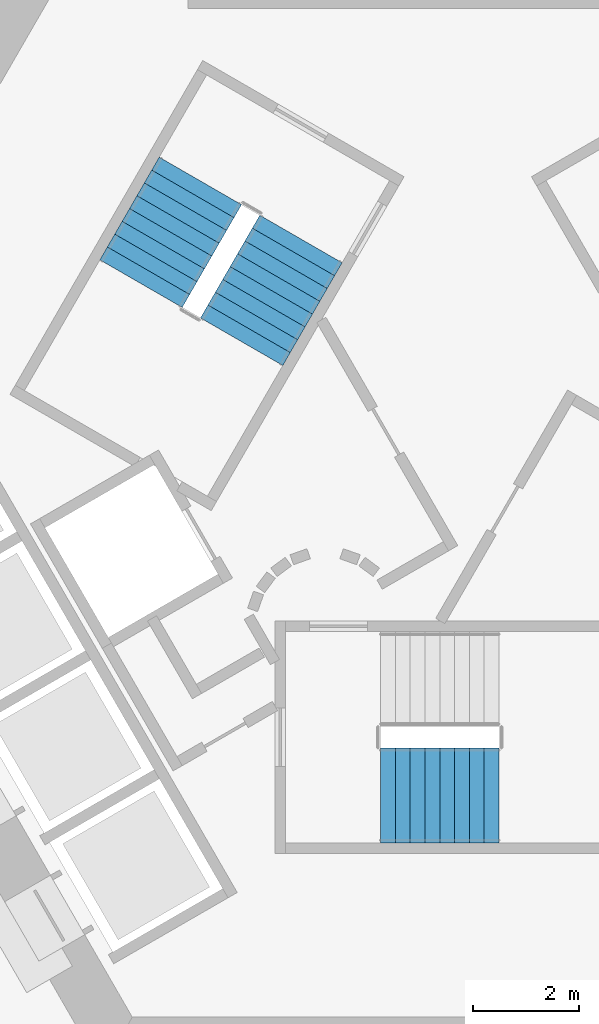
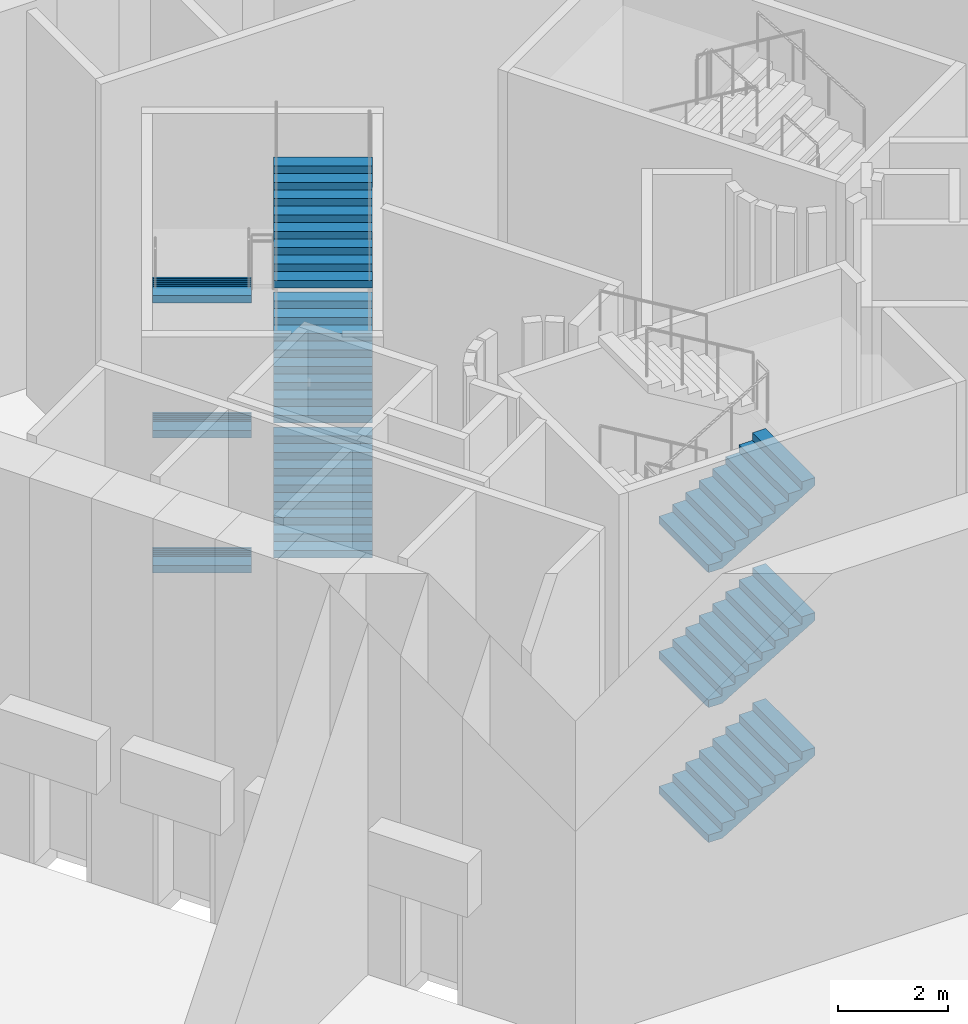
# One storey, part 22 of 36: 9 stair flights, 2 elements without a shape of their own.
"""IFC4 building model written with IfcOpenShell, lengths in metres."""

from ifc_helpers import new_model, si_unit, direction, frame, origin, place, context, subcontext, project, spatial, triangles, material, type_object, element, aggregate, save


model = new_model("IFC4")

# Units and contexts
model_context = context("Model", 3, precision=1e-05, world=origin(), true_north=direction((0.0, 1.0)))
body_context = subcontext(model_context, "Body", "Model", "MODEL_VIEW")
ifc_project = project(units=[si_unit("LENGTHUNIT", "METRE"), si_unit("AREAUNIT", "SQUARE_METRE"), si_unit("VOLUMEUNIT", "CUBIC_METRE"), si_unit("PLANEANGLEUNIT", "RADIAN"), si_unit("MASSUNIT", "GRAM", prefix="KILO")], contexts=[model_context])

# Site, building, storey
site_placement = place(None, origin())
site = spatial("IfcSite", under=ifc_project, at=site_placement, CompositionType="ELEMENT")
building_placement = place(site_placement, origin())
building = spatial("IfcBuilding", under=site, at=building_placement, Name="Entoto Arch Interchange Tower", CompositionType="ELEMENT")
storey_placement = place(building_placement, origin())
storey = spatial("IfcBuildingStorey", under=building, at=storey_placement, Name="L00", CompositionType="ELEMENT", Elevation=0.0)

# Stair, stair flights
ifc_material = material(Name="Concrete C40/50", Category="concrete")
stair_type = type_object("IfcStairType", Name="EXIT STAIR RC 1800", PredefinedType="HALF_TURN_STAIR", material=ifc_material)
stair_1_placement = place(storey_placement, origin())
stair_1 = element("IfcStair", 1, at=stair_1_placement, inside=storey, type_object=stair_type, Name="L00 Exit stair S", PredefinedType="HALF_TURN_STAIR")
stair_flight_type = type_object("IfcStairFlightType", Name="EXIT STAIR FLIGHT RC 1800", PredefinedType="STRAIGHT", material=ifc_material)
stair_flight_1_placement = place(storey_placement, frame((-1.64990234375, -4.300048828125, 0.0), z_axis=(0.0, 0.0, 1.0), x_axis=(1.0, 0.0, 0.0)))
stair_flight_1 = element("IfcStairFlight", 2, at=stair_flight_1_placement, type_object=stair_flight_type, Name="ST-S flight 1", NumberOfRisers=9, NumberOfTreads=8, PredefinedType="STRAIGHT", RiserHeight=0.166666667, TreadLength=0.28, context=body_context, shape_type="Tessellation", body=[
    triangles([(-0.003, -0.900024, 0.0), (-0.003, -0.900024, 0.166667), (0.28, -0.900024, 0.166667), (0.28, -0.900024, 0.333333), (0.56, -0.900024, 0.333333), (0.56, -0.900024, 0.5), (0.84, -0.900024, 0.5), (0.84, -0.900024, 0.666667), (1.12, -0.900024, 0.666667), (1.12, -0.900024, 0.833333), (1.4, -0.900024, 0.833333), (1.4, -0.900024, 1.0), (1.68, -0.900024, 1.0), (1.68, -0.900024, 1.166667), (1.96, -0.900024, 1.166667), (1.96, -0.900024, 1.333333), (2.24, -0.900024, 1.333333), (2.243, -0.900024, 1.333333), (2.243, -0.900024, 1.160671), (0.293073, -0.900024, 0.0), (-0.003, 0.900024, 0.0), (-0.003, 0.900024, 0.166667), (0.28, 0.900024, 0.166667), (0.28, 0.900024, 0.333333), (0.56, 0.900024, 0.333333), (0.56, 0.900024, 0.5), (0.84, 0.900024, 0.5), (0.84, 0.900024, 0.666667), (1.12, 0.900024, 0.666667), (1.12, 0.900024, 0.833333), (1.4, 0.900024, 0.833333), (1.4, 0.900024, 1.0), (1.68, 0.900024, 1.0), (1.68, 0.900024, 1.166667), (1.96, 0.900024, 1.166667), (1.96, 0.900024, 1.333333), (2.24, 0.900024, 1.333333), (2.243, 0.900024, 1.333333), (2.243, 0.900024, 1.160671), (0.293073, 0.900024, 0.0), (-0.003, 0.0, 0.0), (-0.003, 0.0, 0.166667), (0.28, 0.0, 0.166667), (0.28, 0.0, 0.333333), (0.56, 0.0, 0.333333), (0.56, 0.0, 0.5), (0.84, 0.0, 0.5), (0.84, 0.0, 0.666667), (1.12, 0.0, 0.666667), (1.12, 0.0, 0.833333), (1.4, 0.0, 0.833333), (1.4, 0.0, 1.0), (1.68, 0.0, 1.0), (1.68, 0.0, 1.166667), (1.96, 0.0, 1.166667), (1.96, 0.0, 1.333333), (2.24, 0.0, 1.333333), (2.243, 0.0, 1.333333), (2.243, 0.0, 1.160671), (0.293073, 0.0, 0.0)], [[1, 20, 19], [19, 18, 17], [19, 17, 16], [19, 16, 15], [19, 15, 14], [19, 14, 13], [13, 12, 11], [19, 13, 11], [11, 10, 9], [19, 11, 9], [9, 8, 7], [19, 9, 7], [7, 6, 5], [19, 7, 5], [5, 4, 3], [19, 5, 3], [1, 19, 3], [3, 2, 1], [21, 39, 40], [39, 37, 38], [39, 36, 37], [39, 35, 36], [39, 34, 35], [39, 33, 34], [33, 31, 32], [39, 31, 33], [31, 29, 30], [39, 29, 31], [29, 27, 28], [39, 27, 29], [27, 25, 26], [39, 25, 27], [25, 23, 24], [39, 23, 25], [21, 23, 39], [23, 21, 22], [1, 2, 42], [1, 42, 41], [41, 42, 22], [41, 22, 21], [2, 3, 43], [2, 43, 42], [42, 43, 23], [42, 23, 22], [3, 4, 44], [3, 44, 43], [43, 44, 24], [43, 24, 23], [4, 5, 45], [4, 45, 44], [44, 45, 25], [44, 25, 24], [5, 6, 46], [5, 46, 45], [45, 46, 26], [45, 26, 25], [6, 7, 47], [6, 47, 46], [46, 47, 27], [46, 27, 26], [7, 8, 48], [7, 48, 47], [47, 48, 28], [47, 28, 27], [8, 9, 49], [8, 49, 48], [48, 49, 29], [48, 29, 28], [9, 10, 50], [9, 50, 49], [49, 50, 30], [49, 30, 29], [10, 11, 51], [10, 51, 50], [50, 51, 31], [50, 31, 30], [11, 12, 52], [11, 52, 51], [51, 52, 32], [51, 32, 31], [12, 13, 53], [12, 53, 52], [52, 53, 33], [52, 33, 32], [13, 14, 54], [13, 54, 53], [53, 54, 34], [53, 34, 33], [14, 15, 55], [14, 55, 54], [54, 55, 35], [54, 35, 34], [15, 16, 56], [15, 56, 55], [55, 56, 36], [55, 36, 35], [16, 17, 57], [16, 57, 56], [56, 57, 37], [56, 37, 36], [17, 18, 58], [17, 58, 57], [57, 58, 38], [57, 38, 37], [18, 19, 59], [18, 59, 58], [58, 59, 39], [58, 39, 38], [19, 20, 60], [19, 60, 59], [59, 60, 40], [59, 40, 39], [20, 1, 41], [20, 41, 60], [60, 41, 21], [60, 21, 40]], closed=True),
])
stair_flight_2_placement = place(storey_placement, frame((-1.64990234375, -4.300048828125, 3.0), z_axis=(0.0, 0.0, 1.0), x_axis=(1.0, 0.0, 0.0)))
stair_flight_2 = element("IfcStairFlight", 3, at=stair_flight_2_placement, type_object=stair_flight_type, Name="ST-S flight 3", NumberOfRisers=9, NumberOfTreads=8, PredefinedType="STRAIGHT", RiserHeight=0.166666667, TreadLength=0.28, context=body_context, shape_type="Tessellation", body=[
    triangles([(-0.003, -0.900024, 0.0), (-0.003, -0.900024, 0.166667), (0.28, -0.900024, 0.166667), (0.28, -0.900024, 0.333333), (0.56, -0.900024, 0.333333), (0.56, -0.900024, 0.5), (0.84, -0.900024, 0.5), (0.84, -0.900024, 0.666667), (1.12, -0.900024, 0.666667), (1.12, -0.900024, 0.833333), (1.4, -0.900024, 0.833333), (1.4, -0.900024, 1.0), (1.68, -0.900024, 1.0), (1.68, -0.900024, 1.166667), (1.96, -0.900024, 1.166667), (1.96, -0.900024, 1.333333), (2.24, -0.900024, 1.333333), (2.243, -0.900024, 1.333333), (2.243, -0.900024, 1.160671), (0.293073, -0.900024, 0.0), (-0.003, 0.900024, 0.0), (-0.003, 0.900024, 0.166667), (0.28, 0.900024, 0.166667), (0.28, 0.900024, 0.333333), (0.56, 0.900024, 0.333333), (0.56, 0.900024, 0.5), (0.84, 0.900024, 0.5), (0.84, 0.900024, 0.666667), (1.12, 0.900024, 0.666667), (1.12, 0.900024, 0.833333), (1.4, 0.900024, 0.833333), (1.4, 0.900024, 1.0), (1.68, 0.900024, 1.0), (1.68, 0.900024, 1.166667), (1.96, 0.900024, 1.166667), (1.96, 0.900024, 1.333333), (2.24, 0.900024, 1.333333), (2.243, 0.900024, 1.333333), (2.243, 0.900024, 1.160671), (0.293073, 0.900024, 0.0), (-0.003, 0.0, 0.0), (-0.003, 0.0, 0.166667), (0.28, 0.0, 0.166667), (0.28, 0.0, 0.333333), (0.56, 0.0, 0.333333), (0.56, 0.0, 0.5), (0.84, 0.0, 0.5), (0.84, 0.0, 0.666667), (1.12, 0.0, 0.666667), (1.12, 0.0, 0.833333), (1.4, 0.0, 0.833333), (1.4, 0.0, 1.0), (1.68, 0.0, 1.0), (1.68, 0.0, 1.166667), (1.96, 0.0, 1.166667), (1.96, 0.0, 1.333333), (2.24, 0.0, 1.333333), (2.243, 0.0, 1.333333), (2.243, 0.0, 1.160671), (0.293073, 0.0, 0.0)], [[1, 20, 19], [19, 18, 17], [19, 17, 16], [19, 16, 15], [19, 15, 14], [19, 14, 13], [13, 12, 11], [19, 13, 11], [11, 10, 9], [19, 11, 9], [9, 8, 7], [19, 9, 7], [7, 6, 5], [19, 7, 5], [5, 4, 3], [19, 5, 3], [1, 19, 3], [3, 2, 1], [21, 39, 40], [39, 37, 38], [39, 36, 37], [39, 35, 36], [39, 34, 35], [39, 33, 34], [33, 31, 32], [39, 31, 33], [31, 29, 30], [39, 29, 31], [29, 27, 28], [39, 27, 29], [27, 25, 26], [39, 25, 27], [25, 23, 24], [39, 23, 25], [21, 23, 39], [23, 21, 22], [1, 2, 42], [1, 42, 41], [41, 42, 22], [41, 22, 21], [2, 3, 43], [2, 43, 42], [42, 43, 23], [42, 23, 22], [3, 4, 44], [3, 44, 43], [43, 44, 24], [43, 24, 23], [4, 5, 45], [4, 45, 44], [44, 45, 25], [44, 25, 24], [5, 6, 46], [5, 46, 45], [45, 46, 26], [45, 26, 25], [6, 7, 47], [6, 47, 46], [46, 47, 27], [46, 27, 26], [7, 8, 48], [7, 48, 47], [47, 48, 28], [47, 28, 27], [8, 9, 49], [8, 49, 48], [48, 49, 29], [48, 29, 28], [9, 10, 50], [9, 50, 49], [49, 50, 30], [49, 30, 29], [10, 11, 51], [10, 51, 50], [50, 51, 31], [50, 31, 30], [11, 12, 52], [11, 52, 51], [51, 52, 32], [51, 32, 31], [12, 13, 53], [12, 53, 52], [52, 53, 33], [52, 33, 32], [13, 14, 54], [13, 54, 53], [53, 54, 34], [53, 34, 33], [14, 15, 55], [14, 55, 54], [54, 55, 35], [54, 35, 34], [15, 16, 56], [15, 56, 55], [55, 56, 36], [55, 36, 35], [16, 17, 57], [16, 57, 56], [56, 57, 37], [56, 37, 36], [17, 18, 58], [17, 58, 57], [57, 58, 38], [57, 38, 37], [18, 19, 59], [18, 59, 58], [58, 59, 39], [58, 39, 38], [19, 20, 60], [19, 60, 59], [59, 60, 40], [59, 40, 39], [20, 1, 41], [20, 41, 60], [60, 41, 21], [60, 21, 40]], closed=True),
])
stair_flight_3_placement = place(storey_placement, frame((-1.64990234375, -4.300048828125, 6.0), z_axis=(0.0, 0.0, 1.0), x_axis=(1.0, 0.0, 0.0)))
stair_flight_3 = element("IfcStairFlight", 4, at=stair_flight_3_placement, type_object=stair_flight_type, Name="ST-S flight 5", NumberOfRisers=9, NumberOfTreads=8, PredefinedType="STRAIGHT", RiserHeight=0.166666667, TreadLength=0.28, context=body_context, shape_type="Tessellation", body=[
    triangles([(-0.003, -0.900024, 0.0), (-0.003, -0.900024, 0.166667), (0.28, -0.900024, 0.166667), (0.28, -0.900024, 0.333333), (0.56, -0.900024, 0.333333), (0.56, -0.900024, 0.5), (0.84, -0.900024, 0.5), (0.84, -0.900024, 0.666667), (1.12, -0.900024, 0.666667), (1.12, -0.900024, 0.833333), (1.4, -0.900024, 0.833333), (1.4, -0.900024, 1.0), (1.68, -0.900024, 1.0), (1.68, -0.900024, 1.166667), (1.96, -0.900024, 1.166667), (1.96, -0.900024, 1.333333), (2.24, -0.900024, 1.333333), (2.243, -0.900024, 1.333333), (2.243, -0.900024, 1.160671), (0.293073, -0.900024, 0.0), (-0.003, 0.900024, 0.0), (-0.003, 0.900024, 0.166667), (0.28, 0.900024, 0.166667), (0.28, 0.900024, 0.333333), (0.56, 0.900024, 0.333333), (0.56, 0.900024, 0.5), (0.84, 0.900024, 0.5), (0.84, 0.900024, 0.666667), (1.12, 0.900024, 0.666667), (1.12, 0.900024, 0.833333), (1.4, 0.900024, 0.833333), (1.4, 0.900024, 1.0), (1.68, 0.900024, 1.0), (1.68, 0.900024, 1.166667), (1.96, 0.900024, 1.166667), (1.96, 0.900024, 1.333333), (2.24, 0.900024, 1.333333), (2.243, 0.900024, 1.333333), (2.243, 0.900024, 1.160671), (0.293073, 0.900024, 0.0), (-0.003, 0.0, 0.0), (-0.003, 0.0, 0.166667), (0.28, 0.0, 0.166667), (0.28, 0.0, 0.333333), (0.56, 0.0, 0.333333), (0.56, 0.0, 0.5), (0.84, 0.0, 0.5), (0.84, 0.0, 0.666667), (1.12, 0.0, 0.666667), (1.12, 0.0, 0.833333), (1.4, 0.0, 0.833333), (1.4, 0.0, 1.0), (1.68, 0.0, 1.0), (1.68, 0.0, 1.166667), (1.96, 0.0, 1.166667), (1.96, 0.0, 1.333333), (2.24, 0.0, 1.333333), (2.243, 0.0, 1.333333), (2.243, 0.0, 1.160671), (0.293073, 0.0, 0.0)], [[1, 20, 19], [19, 18, 17], [19, 17, 16], [19, 16, 15], [19, 15, 14], [19, 14, 13], [13, 12, 11], [19, 13, 11], [11, 10, 9], [19, 11, 9], [9, 8, 7], [19, 9, 7], [7, 6, 5], [19, 7, 5], [5, 4, 3], [19, 5, 3], [1, 19, 3], [3, 2, 1], [21, 39, 40], [39, 37, 38], [39, 36, 37], [39, 35, 36], [39, 34, 35], [39, 33, 34], [33, 31, 32], [39, 31, 33], [31, 29, 30], [39, 29, 31], [29, 27, 28], [39, 27, 29], [27, 25, 26], [39, 25, 27], [25, 23, 24], [39, 23, 25], [21, 23, 39], [23, 21, 22], [1, 2, 42], [1, 42, 41], [41, 42, 22], [41, 22, 21], [2, 3, 43], [2, 43, 42], [42, 43, 23], [42, 23, 22], [3, 4, 44], [3, 44, 43], [43, 44, 24], [43, 24, 23], [4, 5, 45], [4, 45, 44], [44, 45, 25], [44, 25, 24], [5, 6, 46], [5, 46, 45], [45, 46, 26], [45, 26, 25], [6, 7, 47], [6, 47, 46], [46, 47, 27], [46, 27, 26], [7, 8, 48], [7, 48, 47], [47, 48, 28], [47, 28, 27], [8, 9, 49], [8, 49, 48], [48, 49, 29], [48, 29, 28], [9, 10, 50], [9, 50, 49], [49, 50, 30], [49, 30, 29], [10, 11, 51], [10, 51, 50], [50, 51, 31], [50, 31, 30], [11, 12, 52], [11, 52, 51], [51, 52, 32], [51, 32, 31], [12, 13, 53], [12, 53, 52], [52, 53, 33], [52, 33, 32], [13, 14, 54], [13, 54, 53], [53, 54, 34], [53, 34, 33], [14, 15, 55], [14, 55, 54], [54, 55, 35], [54, 35, 34], [15, 16, 56], [15, 56, 55], [55, 56, 36], [55, 36, 35], [16, 17, 57], [16, 57, 56], [56, 57, 37], [56, 37, 36], [17, 18, 58], [17, 58, 57], [57, 58, 38], [57, 38, 37], [18, 19, 59], [18, 59, 58], [58, 59, 39], [58, 39, 38], [19, 20, 60], [19, 60, 59], [59, 60, 40], [59, 40, 39], [20, 1, 41], [20, 41, 60], [60, 41, 21], [60, 21, 40]], closed=True),
])
aggregate(stair_1, [stair_flight_1, stair_flight_2, stair_flight_3])

stair_2_placement = place(storey_placement, origin())
stair_2 = element("IfcStair", 5, at=stair_2_placement, inside=storey, type_object=stair_type, Name="L00 Exit stair NW", PredefinedType="HALF_TURN_STAIR")
stair_flight_4_placement = place(storey_placement, frame((-5.06396484375, 7.328857421875, 0.0), z_axis=(0.0, 0.0, 1.0), x_axis=(-0.5, -0.866025403784, 0.0)))
stair_flight_4 = element("IfcStairFlight", 6, at=stair_flight_4_placement, type_object=stair_flight_type, Name="ST-NW flight 1", NumberOfRisers=9, NumberOfTreads=8, PredefinedType="STRAIGHT", RiserHeight=0.166666667, TreadLength=0.28, context=body_context, shape_type="Tessellation", body=[
    triangles([(-0.003, -0.900024, 0.0), (-0.003, -0.900024, 0.166667), (0.28, -0.900024, 0.166667), (0.28, -0.900024, 0.333333), (0.56, -0.900024, 0.333333), (0.56, -0.900024, 0.5), (0.84, -0.900024, 0.5), (0.84, -0.900024, 0.666667), (1.12, -0.900024, 0.666667), (1.12, -0.900024, 0.833333), (1.4, -0.900024, 0.833333), (1.4, -0.900024, 1.0), (1.68, -0.900024, 1.0), (1.68, -0.900024, 1.166667), (1.96, -0.900024, 1.166667), (1.96, -0.900024, 1.333333), (2.24, -0.900024, 1.333333), (2.243, -0.900024, 1.333333), (2.243, -0.900024, 1.160671), (0.293073, -0.900024, 0.0), (-0.003, 0.900024, 0.0), (-0.003, 0.900024, 0.166667), (0.28, 0.900024, 0.166667), (0.28, 0.900024, 0.333333), (0.56, 0.900024, 0.333333), (0.56, 0.900024, 0.5), (0.84, 0.900024, 0.5), (0.84, 0.900024, 0.666667), (1.12, 0.900024, 0.666667), (1.12, 0.900024, 0.833333), (1.4, 0.900024, 0.833333), (1.4, 0.900024, 1.0), (1.68, 0.900024, 1.0), (1.68, 0.900024, 1.166667), (1.96, 0.900024, 1.166667), (1.96, 0.900024, 1.333333), (2.24, 0.900024, 1.333333), (2.243, 0.900024, 1.333333), (2.243, 0.900024, 1.160671), (0.293073, 0.900024, 0.0), (-0.003, 0.0, 0.0), (-0.003, 0.0, 0.166667), (0.28, 0.0, 0.166667), (0.28, 0.0, 0.333333), (0.56, 0.0, 0.333333), (0.56, 0.0, 0.5), (0.84, 0.0, 0.5), (0.84, 0.0, 0.666667), (1.12, 0.0, 0.666667), (1.12, 0.0, 0.833333), (1.4, 0.0, 0.833333), (1.4, 0.0, 1.0), (1.68, 0.0, 1.0), (1.68, 0.0, 1.166667), (1.96, 0.0, 1.166667), (1.96, 0.0, 1.333333), (2.24, 0.0, 1.333333), (2.243, 0.0, 1.333333), (2.243, 0.0, 1.160671), (0.293073, 0.0, 0.0)], [[1, 20, 19], [19, 18, 17], [19, 17, 16], [19, 16, 15], [19, 15, 14], [19, 14, 13], [13, 12, 11], [19, 13, 11], [11, 10, 9], [19, 11, 9], [9, 8, 7], [19, 9, 7], [7, 6, 5], [19, 7, 5], [5, 4, 3], [19, 5, 3], [1, 19, 3], [3, 2, 1], [21, 39, 40], [39, 37, 38], [39, 36, 37], [39, 35, 36], [39, 34, 35], [39, 33, 34], [33, 31, 32], [39, 31, 33], [31, 29, 30], [39, 29, 31], [29, 27, 28], [39, 27, 29], [27, 25, 26], [39, 25, 27], [25, 23, 24], [39, 23, 25], [21, 23, 39], [23, 21, 22], [1, 2, 42], [1, 42, 41], [41, 42, 22], [41, 22, 21], [2, 3, 43], [2, 43, 42], [42, 43, 23], [42, 23, 22], [3, 4, 44], [3, 44, 43], [43, 44, 24], [43, 24, 23], [4, 5, 45], [4, 45, 44], [44, 45, 25], [44, 25, 24], [5, 6, 46], [5, 46, 45], [45, 46, 26], [45, 26, 25], [6, 7, 47], [6, 47, 46], [46, 47, 27], [46, 27, 26], [7, 8, 48], [7, 48, 47], [47, 48, 28], [47, 28, 27], [8, 9, 49], [8, 49, 48], [48, 49, 29], [48, 29, 28], [9, 10, 50], [9, 50, 49], [49, 50, 30], [49, 30, 29], [10, 11, 51], [10, 51, 50], [50, 51, 31], [50, 31, 30], [11, 12, 52], [11, 52, 51], [51, 52, 32], [51, 32, 31], [12, 13, 53], [12, 53, 52], [52, 53, 33], [52, 33, 32], [13, 14, 54], [13, 54, 53], [53, 54, 34], [53, 34, 33], [14, 15, 55], [14, 55, 54], [54, 55, 35], [54, 35, 34], [15, 16, 56], [15, 56, 55], [55, 56, 36], [55, 36, 35], [16, 17, 57], [16, 57, 56], [56, 57, 37], [56, 37, 36], [17, 18, 58], [17, 58, 57], [57, 58, 38], [57, 38, 37], [18, 19, 59], [18, 59, 58], [58, 59, 39], [58, 39, 38], [19, 20, 60], [19, 60, 59], [59, 60, 40], [59, 40, 39], [20, 1, 41], [20, 41, 60], [60, 41, 21], [60, 21, 40]], closed=True),
])
stair_flight_5_placement = place(storey_placement, frame((-4.27880859375, 4.2890625, 1.5), z_axis=(0.0, 0.0, 1.0), x_axis=(0.5, 0.866025403784, 0.0)))
stair_flight_5 = element("IfcStairFlight", 7, at=stair_flight_5_placement, type_object=stair_flight_type, Name="ST-NW flight 2", NumberOfRisers=9, NumberOfTreads=8, PredefinedType="STRAIGHT", RiserHeight=0.166666667, TreadLength=0.28, context=body_context, shape_type="Tessellation", body=[
    triangles([(-0.003, -0.900024, 0.0), (-0.003, -0.900024, 0.166667), (0.28, -0.900024, 0.166667), (0.28, -0.900024, 0.333333), (0.56, -0.900024, 0.333333), (0.56, -0.900024, 0.5), (0.84, -0.900024, 0.5), (0.84, -0.900024, 0.666667), (1.12, -0.900024, 0.666667), (1.12, -0.900024, 0.833333), (1.4, -0.900024, 0.833333), (1.4, -0.900024, 1.0), (1.68, -0.900024, 1.0), (1.68, -0.900024, 1.166667), (1.96, -0.900024, 1.166667), (1.96, -0.900024, 1.333333), (2.24, -0.900024, 1.333333), (2.243, -0.900024, 1.333333), (2.243, -0.900024, 1.160671), (0.293073, -0.900024, 0.0), (-0.003, 0.900024, 0.0), (-0.003, 0.900024, 0.166667), (0.28, 0.900024, 0.166667), (0.28, 0.900024, 0.333333), (0.56, 0.900024, 0.333333), (0.56, 0.900024, 0.5), (0.84, 0.900024, 0.5), (0.84, 0.900024, 0.666667), (1.12, 0.900024, 0.666667), (1.12, 0.900024, 0.833333), (1.4, 0.900024, 0.833333), (1.4, 0.900024, 1.0), (1.68, 0.900024, 1.0), (1.68, 0.900024, 1.166667), (1.96, 0.900024, 1.166667), (1.96, 0.900024, 1.333333), (2.24, 0.900024, 1.333333), (2.243, 0.900024, 1.333333), (2.243, 0.900024, 1.160671), (0.293073, 0.900024, 0.0), (-0.003, 0.0, 0.0), (-0.003, 0.0, 0.166667), (0.28, 0.0, 0.166667), (0.28, 0.0, 0.333333), (0.56, 0.0, 0.333333), (0.56, 0.0, 0.5), (0.84, 0.0, 0.5), (0.84, 0.0, 0.666667), (1.12, 0.0, 0.666667), (1.12, 0.0, 0.833333), (1.4, 0.0, 0.833333), (1.4, 0.0, 1.0), (1.68, 0.0, 1.0), (1.68, 0.0, 1.166667), (1.96, 0.0, 1.166667), (1.96, 0.0, 1.333333), (2.24, 0.0, 1.333333), (2.243, 0.0, 1.333333), (2.243, 0.0, 1.160671), (0.293073, 0.0, 0.0)], [[1, 20, 19], [19, 18, 17], [19, 17, 16], [19, 16, 15], [19, 15, 14], [19, 14, 13], [13, 12, 11], [19, 13, 11], [11, 10, 9], [19, 11, 9], [9, 8, 7], [19, 9, 7], [7, 6, 5], [19, 7, 5], [5, 4, 3], [19, 5, 3], [1, 19, 3], [3, 2, 1], [21, 39, 40], [39, 37, 38], [39, 36, 37], [39, 35, 36], [39, 34, 35], [39, 33, 34], [33, 31, 32], [39, 31, 33], [31, 29, 30], [39, 29, 31], [29, 27, 28], [39, 27, 29], [27, 25, 26], [39, 25, 27], [25, 23, 24], [39, 23, 25], [21, 23, 39], [23, 21, 22], [1, 2, 42], [1, 42, 41], [41, 42, 22], [41, 22, 21], [2, 3, 43], [2, 43, 42], [42, 43, 23], [42, 23, 22], [3, 4, 44], [3, 44, 43], [43, 44, 24], [43, 24, 23], [4, 5, 45], [4, 45, 44], [44, 45, 25], [44, 25, 24], [5, 6, 46], [5, 46, 45], [45, 46, 26], [45, 26, 25], [6, 7, 47], [6, 47, 46], [46, 47, 27], [46, 27, 26], [7, 8, 48], [7, 48, 47], [47, 48, 28], [47, 28, 27], [8, 9, 49], [8, 49, 48], [48, 49, 29], [48, 29, 28], [9, 10, 50], [9, 50, 49], [49, 50, 30], [49, 30, 29], [10, 11, 51], [10, 51, 50], [50, 51, 31], [50, 31, 30], [11, 12, 52], [11, 52, 51], [51, 52, 32], [51, 32, 31], [12, 13, 53], [12, 53, 52], [52, 53, 33], [52, 33, 32], [13, 14, 54], [13, 54, 53], [53, 54, 34], [53, 34, 33], [14, 15, 55], [14, 55, 54], [54, 55, 35], [54, 35, 34], [15, 16, 56], [15, 56, 55], [55, 56, 36], [55, 36, 35], [16, 17, 57], [16, 57, 56], [56, 57, 37], [56, 37, 36], [17, 18, 58], [17, 58, 57], [57, 58, 38], [57, 38, 37], [18, 19, 59], [18, 59, 58], [58, 59, 39], [58, 39, 38], [19, 20, 60], [19, 60, 59], [59, 60, 40], [59, 40, 39], [20, 1, 41], [20, 41, 60], [60, 41, 21], [60, 21, 40]], closed=True),
])
stair_flight_6_placement = place(storey_placement, frame((-5.06396484375, 7.328857421875, 3.0), z_axis=(0.0, 0.0, 1.0), x_axis=(-0.5, -0.866025403784, 0.0)))
stair_flight_6 = element("IfcStairFlight", 8, at=stair_flight_6_placement, type_object=stair_flight_type, Name="ST-NW flight 3", NumberOfRisers=9, NumberOfTreads=8, PredefinedType="STRAIGHT", RiserHeight=0.166666667, TreadLength=0.28, context=body_context, shape_type="Tessellation", body=[
    triangles([(-0.003, -0.900024, 0.0), (-0.003, -0.900024, 0.166667), (0.28, -0.900024, 0.166667), (0.28, -0.900024, 0.333333), (0.56, -0.900024, 0.333333), (0.56, -0.900024, 0.5), (0.84, -0.900024, 0.5), (0.84, -0.900024, 0.666667), (1.12, -0.900024, 0.666667), (1.12, -0.900024, 0.833333), (1.4, -0.900024, 0.833333), (1.4, -0.900024, 1.0), (1.68, -0.900024, 1.0), (1.68, -0.900024, 1.166667), (1.96, -0.900024, 1.166667), (1.96, -0.900024, 1.333333), (2.24, -0.900024, 1.333333), (2.243, -0.900024, 1.333333), (2.243, -0.900024, 1.160671), (0.293073, -0.900024, 0.0), (-0.003, 0.900024, 0.0), (-0.003, 0.900024, 0.166667), (0.28, 0.900024, 0.166667), (0.28, 0.900024, 0.333333), (0.56, 0.900024, 0.333333), (0.56, 0.900024, 0.5), (0.84, 0.900024, 0.5), (0.84, 0.900024, 0.666667), (1.12, 0.900024, 0.666667), (1.12, 0.900024, 0.833333), (1.4, 0.900024, 0.833333), (1.4, 0.900024, 1.0), (1.68, 0.900024, 1.0), (1.68, 0.900024, 1.166667), (1.96, 0.900024, 1.166667), (1.96, 0.900024, 1.333333), (2.24, 0.900024, 1.333333), (2.243, 0.900024, 1.333333), (2.243, 0.900024, 1.160671), (0.293073, 0.900024, 0.0), (-0.003, 0.0, 0.0), (-0.003, 0.0, 0.166667), (0.28, 0.0, 0.166667), (0.28, 0.0, 0.333333), (0.56, 0.0, 0.333333), (0.56, 0.0, 0.5), (0.84, 0.0, 0.5), (0.84, 0.0, 0.666667), (1.12, 0.0, 0.666667), (1.12, 0.0, 0.833333), (1.4, 0.0, 0.833333), (1.4, 0.0, 1.0), (1.68, 0.0, 1.0), (1.68, 0.0, 1.166667), (1.96, 0.0, 1.166667), (1.96, 0.0, 1.333333), (2.24, 0.0, 1.333333), (2.243, 0.0, 1.333333), (2.243, 0.0, 1.160671), (0.293073, 0.0, 0.0)], [[1, 20, 19], [19, 18, 17], [19, 17, 16], [19, 16, 15], [19, 15, 14], [19, 14, 13], [13, 12, 11], [19, 13, 11], [11, 10, 9], [19, 11, 9], [9, 8, 7], [19, 9, 7], [7, 6, 5], [19, 7, 5], [5, 4, 3], [19, 5, 3], [1, 19, 3], [3, 2, 1], [21, 39, 40], [39, 37, 38], [39, 36, 37], [39, 35, 36], [39, 34, 35], [39, 33, 34], [33, 31, 32], [39, 31, 33], [31, 29, 30], [39, 29, 31], [29, 27, 28], [39, 27, 29], [27, 25, 26], [39, 25, 27], [25, 23, 24], [39, 23, 25], [21, 23, 39], [23, 21, 22], [1, 2, 42], [1, 42, 41], [41, 42, 22], [41, 22, 21], [2, 3, 43], [2, 43, 42], [42, 43, 23], [42, 23, 22], [3, 4, 44], [3, 44, 43], [43, 44, 24], [43, 24, 23], [4, 5, 45], [4, 45, 44], [44, 45, 25], [44, 25, 24], [5, 6, 46], [5, 46, 45], [45, 46, 26], [45, 26, 25], [6, 7, 47], [6, 47, 46], [46, 47, 27], [46, 27, 26], [7, 8, 48], [7, 48, 47], [47, 48, 28], [47, 28, 27], [8, 9, 49], [8, 49, 48], [48, 49, 29], [48, 29, 28], [9, 10, 50], [9, 50, 49], [49, 50, 30], [49, 30, 29], [10, 11, 51], [10, 51, 50], [50, 51, 31], [50, 31, 30], [11, 12, 52], [11, 52, 51], [51, 52, 32], [51, 32, 31], [12, 13, 53], [12, 53, 52], [52, 53, 33], [52, 33, 32], [13, 14, 54], [13, 54, 53], [53, 54, 34], [53, 34, 33], [14, 15, 55], [14, 55, 54], [54, 55, 35], [54, 35, 34], [15, 16, 56], [15, 56, 55], [55, 56, 36], [55, 36, 35], [16, 17, 57], [16, 57, 56], [56, 57, 37], [56, 37, 36], [17, 18, 58], [17, 58, 57], [57, 58, 38], [57, 38, 37], [18, 19, 59], [18, 59, 58], [58, 59, 39], [58, 39, 38], [19, 20, 60], [19, 60, 59], [59, 60, 40], [59, 40, 39], [20, 1, 41], [20, 41, 60], [60, 41, 21], [60, 21, 40]], closed=True),
])
stair_flight_7_placement = place(storey_placement, frame((-4.27880859375, 4.2890625, 4.5), z_axis=(0.0, 0.0, 1.0), x_axis=(0.5, 0.866025403784, 0.0)))
stair_flight_7 = element("IfcStairFlight", 9, at=stair_flight_7_placement, type_object=stair_flight_type, Name="ST-NW flight 4", NumberOfRisers=9, NumberOfTreads=8, PredefinedType="STRAIGHT", RiserHeight=0.166666667, TreadLength=0.28, context=body_context, shape_type="Tessellation", body=[
    triangles([(-0.003, -0.900024, 0.0), (-0.003, -0.900024, 0.166667), (0.28, -0.900024, 0.166667), (0.28, -0.900024, 0.333333), (0.56, -0.900024, 0.333333), (0.56, -0.900024, 0.5), (0.84, -0.900024, 0.5), (0.84, -0.900024, 0.666667), (1.12, -0.900024, 0.666667), (1.12, -0.900024, 0.833333), (1.4, -0.900024, 0.833333), (1.4, -0.900024, 1.0), (1.68, -0.900024, 1.0), (1.68, -0.900024, 1.166667), (1.96, -0.900024, 1.166667), (1.96, -0.900024, 1.333333), (2.24, -0.900024, 1.333333), (2.243, -0.900024, 1.333333), (2.243, -0.900024, 1.160671), (0.293073, -0.900024, 0.0), (-0.003, 0.900024, 0.0), (-0.003, 0.900024, 0.166667), (0.28, 0.900024, 0.166667), (0.28, 0.900024, 0.333333), (0.56, 0.900024, 0.333333), (0.56, 0.900024, 0.5), (0.84, 0.900024, 0.5), (0.84, 0.900024, 0.666667), (1.12, 0.900024, 0.666667), (1.12, 0.900024, 0.833333), (1.4, 0.900024, 0.833333), (1.4, 0.900024, 1.0), (1.68, 0.900024, 1.0), (1.68, 0.900024, 1.166667), (1.96, 0.900024, 1.166667), (1.96, 0.900024, 1.333333), (2.24, 0.900024, 1.333333), (2.243, 0.900024, 1.333333), (2.243, 0.900024, 1.160671), (0.293073, 0.900024, 0.0), (-0.003, 0.0, 0.0), (-0.003, 0.0, 0.166667), (0.28, 0.0, 0.166667), (0.28, 0.0, 0.333333), (0.56, 0.0, 0.333333), (0.56, 0.0, 0.5), (0.84, 0.0, 0.5), (0.84, 0.0, 0.666667), (1.12, 0.0, 0.666667), (1.12, 0.0, 0.833333), (1.4, 0.0, 0.833333), (1.4, 0.0, 1.0), (1.68, 0.0, 1.0), (1.68, 0.0, 1.166667), (1.96, 0.0, 1.166667), (1.96, 0.0, 1.333333), (2.24, 0.0, 1.333333), (2.243, 0.0, 1.333333), (2.243, 0.0, 1.160671), (0.293073, 0.0, 0.0)], [[1, 20, 19], [19, 18, 17], [19, 17, 16], [19, 16, 15], [19, 15, 14], [19, 14, 13], [13, 12, 11], [19, 13, 11], [11, 10, 9], [19, 11, 9], [9, 8, 7], [19, 9, 7], [7, 6, 5], [19, 7, 5], [5, 4, 3], [19, 5, 3], [1, 19, 3], [3, 2, 1], [21, 39, 40], [39, 37, 38], [39, 36, 37], [39, 35, 36], [39, 34, 35], [39, 33, 34], [33, 31, 32], [39, 31, 33], [31, 29, 30], [39, 29, 31], [29, 27, 28], [39, 27, 29], [27, 25, 26], [39, 25, 27], [25, 23, 24], [39, 23, 25], [21, 23, 39], [23, 21, 22], [1, 2, 42], [1, 42, 41], [41, 42, 22], [41, 22, 21], [2, 3, 43], [2, 43, 42], [42, 43, 23], [42, 23, 22], [3, 4, 44], [3, 44, 43], [43, 44, 24], [43, 24, 23], [4, 5, 45], [4, 45, 44], [44, 45, 25], [44, 25, 24], [5, 6, 46], [5, 46, 45], [45, 46, 26], [45, 26, 25], [6, 7, 47], [6, 47, 46], [46, 47, 27], [46, 27, 26], [7, 8, 48], [7, 48, 47], [47, 48, 28], [47, 28, 27], [8, 9, 49], [8, 49, 48], [48, 49, 29], [48, 29, 28], [9, 10, 50], [9, 50, 49], [49, 50, 30], [49, 30, 29], [10, 11, 51], [10, 51, 50], [50, 51, 31], [50, 31, 30], [11, 12, 52], [11, 52, 51], [51, 52, 32], [51, 32, 31], [12, 13, 53], [12, 53, 52], [52, 53, 33], [52, 33, 32], [13, 14, 54], [13, 54, 53], [53, 54, 34], [53, 34, 33], [14, 15, 55], [14, 55, 54], [54, 55, 35], [54, 35, 34], [15, 16, 56], [15, 56, 55], [55, 56, 36], [55, 36, 35], [16, 17, 57], [16, 57, 56], [56, 57, 37], [56, 37, 36], [17, 18, 58], [17, 58, 57], [57, 58, 38], [57, 38, 37], [18, 19, 59], [18, 59, 58], [58, 59, 39], [58, 39, 38], [19, 20, 60], [19, 60, 59], [59, 60, 40], [59, 40, 39], [20, 1, 41], [20, 41, 60], [60, 41, 21], [60, 21, 40]], closed=True),
])
stair_flight_8_placement = place(storey_placement, frame((-5.06396484375, 7.328857421875, 6.0), z_axis=(0.0, 0.0, 1.0), x_axis=(-0.5, -0.866025403784, 0.0)))
stair_flight_8 = element("IfcStairFlight", 10, at=stair_flight_8_placement, type_object=stair_flight_type, Name="ST-NW flight 5", NumberOfRisers=9, NumberOfTreads=8, PredefinedType="STRAIGHT", RiserHeight=0.166666667, TreadLength=0.28, context=body_context, shape_type="Tessellation", body=[
    triangles([(-0.003, -0.900024, 0.0), (-0.003, -0.900024, 0.166667), (0.28, -0.900024, 0.166667), (0.28, -0.900024, 0.333333), (0.56, -0.900024, 0.333333), (0.56, -0.900024, 0.5), (0.84, -0.900024, 0.5), (0.84, -0.900024, 0.666667), (1.12, -0.900024, 0.666667), (1.12, -0.900024, 0.833333), (1.4, -0.900024, 0.833333), (1.4, -0.900024, 1.0), (1.68, -0.900024, 1.0), (1.68, -0.900024, 1.166667), (1.96, -0.900024, 1.166667), (1.96, -0.900024, 1.333333), (2.24, -0.900024, 1.333333), (2.243, -0.900024, 1.333333), (2.243, -0.900024, 1.160671), (0.293073, -0.900024, 0.0), (-0.003, 0.900024, 0.0), (-0.003, 0.900024, 0.166667), (0.28, 0.900024, 0.166667), (0.28, 0.900024, 0.333333), (0.56, 0.900024, 0.333333), (0.56, 0.900024, 0.5), (0.84, 0.900024, 0.5), (0.84, 0.900024, 0.666667), (1.12, 0.900024, 0.666667), (1.12, 0.900024, 0.833333), (1.4, 0.900024, 0.833333), (1.4, 0.900024, 1.0), (1.68, 0.900024, 1.0), (1.68, 0.900024, 1.166667), (1.96, 0.900024, 1.166667), (1.96, 0.900024, 1.333333), (2.24, 0.900024, 1.333333), (2.243, 0.900024, 1.333333), (2.243, 0.900024, 1.160671), (0.293073, 0.900024, 0.0), (-0.003, 0.0, 0.0), (-0.003, 0.0, 0.166667), (0.28, 0.0, 0.166667), (0.28, 0.0, 0.333333), (0.56, 0.0, 0.333333), (0.56, 0.0, 0.5), (0.84, 0.0, 0.5), (0.84, 0.0, 0.666667), (1.12, 0.0, 0.666667), (1.12, 0.0, 0.833333), (1.4, 0.0, 0.833333), (1.4, 0.0, 1.0), (1.68, 0.0, 1.0), (1.68, 0.0, 1.166667), (1.96, 0.0, 1.166667), (1.96, 0.0, 1.333333), (2.24, 0.0, 1.333333), (2.243, 0.0, 1.333333), (2.243, 0.0, 1.160671), (0.293073, 0.0, 0.0)], [[1, 20, 19], [19, 18, 17], [19, 17, 16], [19, 16, 15], [19, 15, 14], [19, 14, 13], [13, 12, 11], [19, 13, 11], [11, 10, 9], [19, 11, 9], [9, 8, 7], [19, 9, 7], [7, 6, 5], [19, 7, 5], [5, 4, 3], [19, 5, 3], [1, 19, 3], [3, 2, 1], [21, 39, 40], [39, 37, 38], [39, 36, 37], [39, 35, 36], [39, 34, 35], [39, 33, 34], [33, 31, 32], [39, 31, 33], [31, 29, 30], [39, 29, 31], [29, 27, 28], [39, 27, 29], [27, 25, 26], [39, 25, 27], [25, 23, 24], [39, 23, 25], [21, 23, 39], [23, 21, 22], [1, 2, 42], [1, 42, 41], [41, 42, 22], [41, 22, 21], [2, 3, 43], [2, 43, 42], [42, 43, 23], [42, 23, 22], [3, 4, 44], [3, 44, 43], [43, 44, 24], [43, 24, 23], [4, 5, 45], [4, 45, 44], [44, 45, 25], [44, 25, 24], [5, 6, 46], [5, 46, 45], [45, 46, 26], [45, 26, 25], [6, 7, 47], [6, 47, 46], [46, 47, 27], [46, 27, 26], [7, 8, 48], [7, 48, 47], [47, 48, 28], [47, 28, 27], [8, 9, 49], [8, 49, 48], [48, 49, 29], [48, 29, 28], [9, 10, 50], [9, 50, 49], [49, 50, 30], [49, 30, 29], [10, 11, 51], [10, 51, 50], [50, 51, 31], [50, 31, 30], [11, 12, 52], [11, 52, 51], [51, 52, 32], [51, 32, 31], [12, 13, 53], [12, 53, 52], [52, 53, 33], [52, 33, 32], [13, 14, 54], [13, 54, 53], [53, 54, 34], [53, 34, 33], [14, 15, 55], [14, 55, 54], [54, 55, 35], [54, 35, 34], [15, 16, 56], [15, 56, 55], [55, 56, 36], [55, 36, 35], [16, 17, 57], [16, 57, 56], [56, 57, 37], [56, 37, 36], [17, 18, 58], [17, 58, 57], [57, 58, 38], [57, 38, 37], [18, 19, 59], [18, 59, 58], [58, 59, 39], [58, 39, 38], [19, 20, 60], [19, 60, 59], [59, 60, 40], [59, 40, 39], [20, 1, 41], [20, 41, 60], [60, 41, 21], [60, 21, 40]], closed=True),
])
stair_flight_9_placement = place(storey_placement, frame((-4.27880859375, 4.2890625, 7.5), z_axis=(0.0, 0.0, 1.0), x_axis=(0.5, 0.866025403784, 0.0)))
stair_flight_9 = element("IfcStairFlight", 11, at=stair_flight_9_placement, type_object=stair_flight_type, Name="ST-NW flight 6", NumberOfRisers=9, NumberOfTreads=8, PredefinedType="STRAIGHT", RiserHeight=0.166666667, TreadLength=0.28, context=body_context, shape_type="Tessellation", body=[
    triangles([(-0.003, -0.900024, 0.0), (-0.003, -0.900024, 0.166667), (0.28, -0.900024, 0.166667), (0.28, -0.900024, 0.333333), (0.56, -0.900024, 0.333333), (0.56, -0.900024, 0.5), (0.84, -0.900024, 0.5), (0.84, -0.900024, 0.666667), (1.12, -0.900024, 0.666667), (1.12, -0.900024, 0.833333), (1.4, -0.900024, 0.833333), (1.4, -0.900024, 1.0), (1.68, -0.900024, 1.0), (1.68, -0.900024, 1.166667), (1.96, -0.900024, 1.166667), (1.96, -0.900024, 1.333333), (2.24, -0.900024, 1.333333), (2.243, -0.900024, 1.333333), (2.243, -0.900024, 1.160671), (0.293073, -0.900024, 0.0), (-0.003, 0.900024, 0.0), (-0.003, 0.900024, 0.166667), (0.28, 0.900024, 0.166667), (0.28, 0.900024, 0.333333), (0.56, 0.900024, 0.333333), (0.56, 0.900024, 0.5), (0.84, 0.900024, 0.5), (0.84, 0.900024, 0.666667), (1.12, 0.900024, 0.666667), (1.12, 0.900024, 0.833333), (1.4, 0.900024, 0.833333), (1.4, 0.900024, 1.0), (1.68, 0.900024, 1.0), (1.68, 0.900024, 1.166667), (1.96, 0.900024, 1.166667), (1.96, 0.900024, 1.333333), (2.24, 0.900024, 1.333333), (2.243, 0.900024, 1.333333), (2.243, 0.900024, 1.160671), (0.293073, 0.900024, 0.0), (-0.003, 0.0, 0.0), (-0.003, 0.0, 0.166667), (0.28, 0.0, 0.166667), (0.28, 0.0, 0.333333), (0.56, 0.0, 0.333333), (0.56, 0.0, 0.5), (0.84, 0.0, 0.5), (0.84, 0.0, 0.666667), (1.12, 0.0, 0.666667), (1.12, 0.0, 0.833333), (1.4, 0.0, 0.833333), (1.4, 0.0, 1.0), (1.68, 0.0, 1.0), (1.68, 0.0, 1.166667), (1.96, 0.0, 1.166667), (1.96, 0.0, 1.333333), (2.24, 0.0, 1.333333), (2.243, 0.0, 1.333333), (2.243, 0.0, 1.160671), (0.293073, 0.0, 0.0)], [[1, 20, 19], [19, 18, 17], [19, 17, 16], [19, 16, 15], [19, 15, 14], [19, 14, 13], [13, 12, 11], [19, 13, 11], [11, 10, 9], [19, 11, 9], [9, 8, 7], [19, 9, 7], [7, 6, 5], [19, 7, 5], [5, 4, 3], [19, 5, 3], [1, 19, 3], [3, 2, 1], [21, 39, 40], [39, 37, 38], [39, 36, 37], [39, 35, 36], [39, 34, 35], [39, 33, 34], [33, 31, 32], [39, 31, 33], [31, 29, 30], [39, 29, 31], [29, 27, 28], [39, 27, 29], [27, 25, 26], [39, 25, 27], [25, 23, 24], [39, 23, 25], [21, 23, 39], [23, 21, 22], [1, 2, 42], [1, 42, 41], [41, 42, 22], [41, 22, 21], [2, 3, 43], [2, 43, 42], [42, 43, 23], [42, 23, 22], [3, 4, 44], [3, 44, 43], [43, 44, 24], [43, 24, 23], [4, 5, 45], [4, 45, 44], [44, 45, 25], [44, 25, 24], [5, 6, 46], [5, 46, 45], [45, 46, 26], [45, 26, 25], [6, 7, 47], [6, 47, 46], [46, 47, 27], [46, 27, 26], [7, 8, 48], [7, 48, 47], [47, 48, 28], [47, 28, 27], [8, 9, 49], [8, 49, 48], [48, 49, 29], [48, 29, 28], [9, 10, 50], [9, 50, 49], [49, 50, 30], [49, 30, 29], [10, 11, 51], [10, 51, 50], [50, 51, 31], [50, 31, 30], [11, 12, 52], [11, 52, 51], [51, 52, 32], [51, 32, 31], [12, 13, 53], [12, 53, 52], [52, 53, 33], [52, 33, 32], [13, 14, 54], [13, 54, 53], [53, 54, 34], [53, 34, 33], [14, 15, 55], [14, 55, 54], [54, 55, 35], [54, 35, 34], [15, 16, 56], [15, 56, 55], [55, 56, 36], [55, 36, 35], [16, 17, 57], [16, 57, 56], [56, 57, 37], [56, 37, 36], [17, 18, 58], [17, 58, 57], [57, 58, 38], [57, 38, 37], [18, 19, 59], [18, 59, 58], [58, 59, 39], [58, 39, 38], [19, 20, 60], [19, 60, 59], [59, 60, 40], [59, 40, 39], [20, 1, 41], [20, 41, 60], [60, 41, 21], [60, 21, 40]], closed=True),
])
aggregate(stair_2, [stair_flight_4, stair_flight_5, stair_flight_6, stair_flight_7, stair_flight_8, stair_flight_9])

save(model, "model.ifc")
